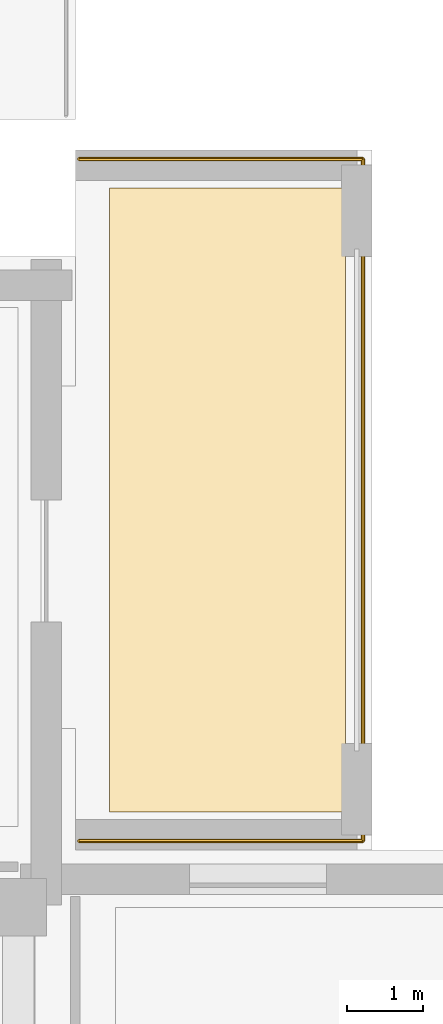
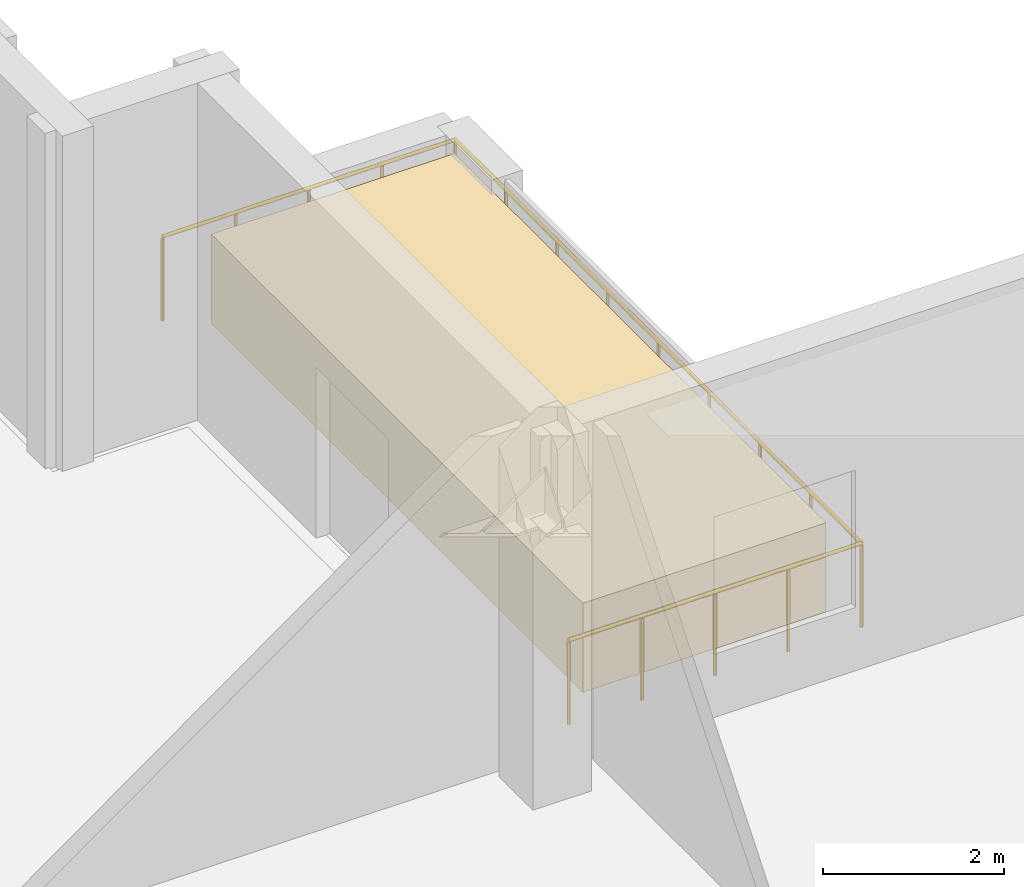
# One storey, part 10 of 11: 1 covering, 1 railing.
"""IFC4 building model written with IfcOpenShell, lengths in metres."""

from ifc_helpers import new_model, si_unit, direction, frame, origin, origin_2d, place, context, subcontext, project, spatial, polyline, circle, outline, extrude, material, layer, layer_set, type_object, element, save


model = new_model("IFC4")

# Units and contexts
model_context = context("Model", 3, precision=1e-05, world=origin(), true_north=direction((0.0, 1.0)))
body_context = subcontext(model_context, "Body", "Model", "MODEL_VIEW")
ifc_project = project(units=[si_unit("LENGTHUNIT", "METRE"), si_unit("AREAUNIT", "SQUARE_METRE"), si_unit("VOLUMEUNIT", "CUBIC_METRE"), si_unit("PLANEANGLEUNIT", "RADIAN"), si_unit("MASSUNIT", "GRAM", prefix="KILO")], contexts=[model_context])

# Site, building, storey
site_placement = place(None, origin())
site = spatial("IfcSite", under=ifc_project, at=site_placement, CompositionType="ELEMENT")
building_placement = place(site_placement, origin())
building = spatial("IfcBuilding", under=site, at=building_placement, Name="Norrvale University Quadrangle", CompositionType="ELEMENT")
storey_placement = place(building_placement, frame((0.0, 0.0, 261.0)))
storey = spatial("IfcBuildingStorey", under=building, at=storey_placement, Name="L66", CompositionType="ELEMENT", Elevation=261.0)

# Covering
ifc_material_1 = material(Name="Pool Water")
ifc_layer = layer(ifc_material_1, 1.199951171875, Name="Pool Water")
ifc_layer_set = layer_set([ifc_layer], Name="Pool Water")
covering_type = type_object("IfcCoveringType", Name="Covering Pool Water 1200", PredefinedType="FLOORING", material=ifc_layer_set)
covering_placement = place(storey_placement, frame((0.0, 0.0, 0.050048828125)))
element("IfcCovering", 1, at=covering_placement, inside=storey, type_object=covering_type, Name="Sky Pool Treated Aquatic Water", PredefinedType="FLOORING", context=body_context, shape_type="SweptSolid", body=[
    extrude(outline(polyline([(38.85009765625, 38.89990234375), (41.949951171875, 38.89990234375), (41.949951171875, 47.10009765625), (38.85009765625, 47.10009765625), (38.85009765625, 38.89990234375)])), origin(), (0.0, 0.0, 1.0), 1.199951171875),
])

# Railing
ifc_material_2 = material(Name="Stainless Steel 316L Balustrade", Category="steel")
railing_type = type_object("IfcRailingType", Name="Railing Terrace Guard 1150", PredefinedType="BALUSTRADE", material=ifc_material_2)
railing_placement = place(storey_placement, frame((38.449951171875, 38.52001953125, 0.0)))
element("IfcRailing", 2, at=railing_placement, inside=storey, type_object=railing_type, Name="L66 Sky Pool Perimeter Guard", PredefinedType="BALUSTRADE", context=body_context, shape_type="SweptSolid", body=[
    extrude(circle(Radius=0.02392578125, at=origin_2d()), frame((0.0, 0.0, 1.1259765625), z_axis=(1.0, 0.0, 0.0), x_axis=(0.0, 1.0, 0.0)), (0.0, 0.0, 1.0), 3.72998046875),
    extrude(circle(Radius=0.02392578125, at=origin_2d()), frame((3.72998046875, 0.0, 1.1259765625), z_axis=(0.0, 1.0, 0.0), x_axis=(-1.0, 0.0, 0.0)), (0.0, 0.0, 1.0), 8.9599609375),
    extrude(circle(Radius=0.02392578125, at=origin_2d()), frame((3.72998046875, 8.9599609375, 1.1259765625), z_axis=(-1.0, 0.0, 0.0), x_axis=(0.0, -1.0, 0.0)), (0.0, 0.0, 1.0), 3.72998046875),
    extrude(circle(Radius=0.02099609375, at=origin_2d()), origin(), (0.0, 0.0, 1.0), 1.101806640625),
    extrude(circle(Radius=0.02099609375, at=origin_2d()), frame((0.9326171875, 0.0, 0.0)), (0.0, 0.0, 1.0), 1.101806640625),
    extrude(circle(Radius=0.02099609375, at=origin_2d()), frame((1.864990234375, 0.0, 0.0)), (0.0, 0.0, 1.0), 1.101806640625),
    extrude(circle(Radius=0.02099609375, at=origin_2d()), frame((2.79736328125, 0.0, 0.0)), (0.0, 0.0, 1.0), 1.101806640625),
    extrude(circle(Radius=0.02099609375, at=origin_2d()), frame((3.72998046875, 0.0, 0.0)), (0.0, 0.0, 1.0), 1.101806640625),
    extrude(circle(Radius=0.02099609375, at=origin_2d()), frame((3.72998046875, 1.1201171875, 0.0)), (0.0, 0.0, 1.0), 1.101806640625),
    extrude(circle(Radius=0.02099609375, at=origin_2d()), frame((3.72998046875, 2.239990234375, 0.0)), (0.0, 0.0, 1.0), 1.101806640625),
    extrude(circle(Radius=0.02099609375, at=origin_2d()), frame((3.72998046875, 3.35986328125, 0.0)), (0.0, 0.0, 1.0), 1.101806640625),
    extrude(circle(Radius=0.02099609375, at=origin_2d()), frame((3.72998046875, 4.47998046875, 0.0)), (0.0, 0.0, 1.0), 1.101806640625),
    extrude(circle(Radius=0.02099609375, at=origin_2d()), frame((3.72998046875, 5.60009765625, 0.0)), (0.0, 0.0, 1.0), 1.101806640625),
    extrude(circle(Radius=0.02099609375, at=origin_2d()), frame((3.72998046875, 6.719970703125, 0.0)), (0.0, 0.0, 1.0), 1.101806640625),
    extrude(circle(Radius=0.02099609375, at=origin_2d()), frame((3.72998046875, 7.83984375, 0.0)), (0.0, 0.0, 1.0), 1.101806640625),
    extrude(circle(Radius=0.02099609375, at=origin_2d()), frame((3.72998046875, 8.9599609375, 0.0)), (0.0, 0.0, 1.0), 1.101806640625),
    extrude(circle(Radius=0.02099609375, at=origin_2d()), frame((2.79736328125, 8.9599609375, 0.0)), (0.0, 0.0, 1.0), 1.101806640625),
    extrude(circle(Radius=0.02099609375, at=origin_2d()), frame((1.864990234375, 8.9599609375, 0.0)), (0.0, 0.0, 1.0), 1.101806640625),
    extrude(circle(Radius=0.02099609375, at=origin_2d()), frame((0.9326171875, 8.9599609375, 0.0)), (0.0, 0.0, 1.0), 1.101806640625),
    extrude(circle(Radius=0.02099609375, at=origin_2d()), frame((0.0, 8.9599609375, 0.0)), (0.0, 0.0, 1.0), 1.101806640625),
])

save(model, "model.ifc")
